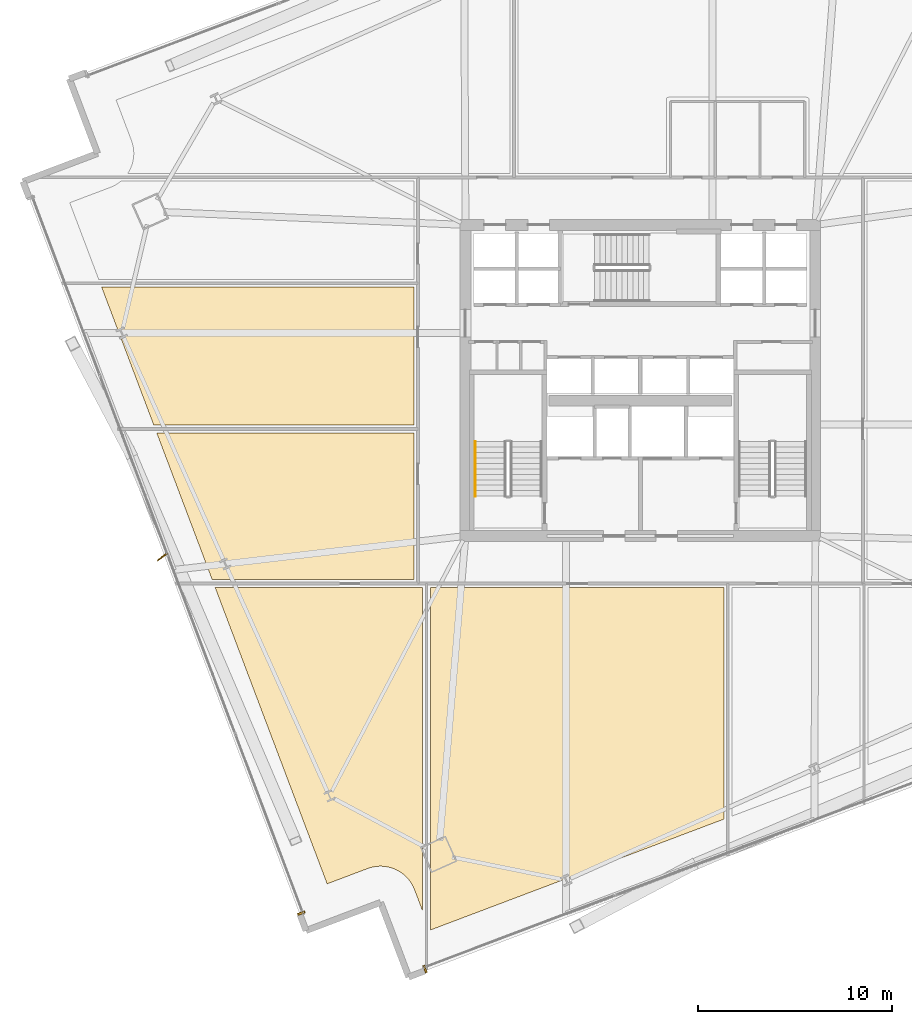
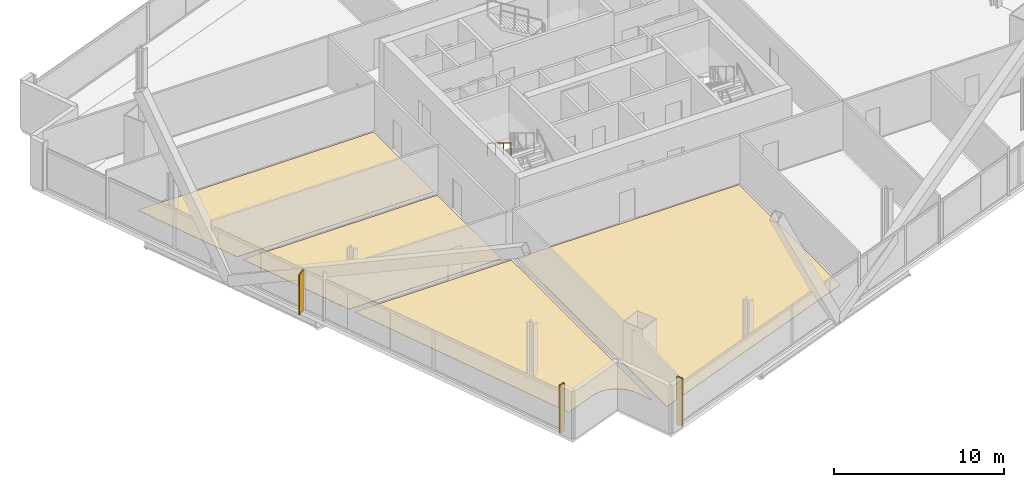
# One storey, part 33 of 37: 6 coverings, 1 railing, 1 shading device.
"""IFC4 building model written with IfcOpenShell, lengths in metres."""

from ifc_helpers import new_model, si_unit, direction, frame, origin, origin_2d, place, context, subcontext, project, spatial, polyline, rectangle, outline, extrude, source, transform, mapped, material, layer, layer_set, type_object, element, save


model = new_model("IFC4")

# Units and contexts
model_context = context("Model", 3, precision=1e-05, world=origin(), true_north=direction((0.0, 1.0)))
body_context = subcontext(model_context, "Body", "Model", "MODEL_VIEW")
ifc_project = project(units=[si_unit("LENGTHUNIT", "METRE"), si_unit("AREAUNIT", "SQUARE_METRE"), si_unit("VOLUMEUNIT", "CUBIC_METRE"), si_unit("PLANEANGLEUNIT", "RADIAN"), si_unit("MASSUNIT", "GRAM", prefix="KILO")], contexts=[model_context])

# Site, building, storey
site_placement = place(None, origin())
site = spatial("IfcSite", under=ifc_project, at=site_placement, CompositionType="ELEMENT")
building_placement = place(site_placement, origin())
building = spatial("IfcBuilding", under=site, at=building_placement, Name="Haldenkirk Collegiate Tower", CompositionType="ELEMENT")
storey_placement = place(building_placement, frame((0.0, 0.0, 97.949951171875)))
storey = spatial("IfcBuildingStorey", under=building, at=storey_placement, Name="L23", CompositionType="ELEMENT", Elevation=97.949951171875)

# Coverings
ifc_material_1 = material(Name="Polished collegiate terrazzo", Category="concrete")
ifc_layer_1 = layer(ifc_material_1, 0.02490234375)
ifc_layer_set_1 = layer_set([ifc_layer_1], Name="Polished collegiate terrazzo")
covering_type_1 = type_object("IfcCoveringType", Name="COV-FLOOR-TERRAZZO", PredefinedType="FLOORING", material=ifc_layer_set_1)
covering_1_placement = place(storey_placement, origin())
element("IfcCovering", 1, at=covering_1_placement, inside=storey, type_object=covering_type_1, Name="L23 academic room finish 02", PredefinedType="FLOORING", context=body_context, shape_type="SweptSolid", body=[
    extrude(outline(polyline([(25.199951171875, -2.272705078125), (25.199951171875, 15.35009765625), (40.300048828125, 15.35009765625), (40.300048828125, 3.43310546875), (25.199951171875, -2.272705078125)])), origin(), (0.0, 0.0, 1.0), 0.025146484375),
])
covering_2_placement = place(storey_placement, origin())
element("IfcCovering", 2, at=covering_2_placement, inside=storey, type_object=covering_type_1, Name="L23 academic room finish 08", PredefinedType="FLOORING", context=body_context, shape_type="SweptSolid", body=[
    extrude(outline(polyline([(11.117919921875, 23.300048828125), (24.35009765625, 23.300048828125), (24.35009765625, 15.75), (13.970947265625, 15.75), (11.117919921875, 23.300048828125)])), origin(), (0.0, 0.0, 1.0), 0.025146484375),
])
ifc_material_2 = material(Name="Engineered collegiate oak acoustic flooring", Category="wood")
ifc_layer_2 = layer(ifc_material_2, 0.02197265625)
ifc_layer_set_2 = layer_set([ifc_layer_2], Name="Engineered collegiate oak acoustic flooring")
covering_type_2 = type_object("IfcCoveringType", Name="COV-FLOOR-TIMBER", PredefinedType="FLOORING", material=ifc_layer_set_2)
covering_3_placement = place(storey_placement, origin())
element("IfcCovering", 3, at=covering_3_placement, inside=storey, type_object=covering_type_2, Name="L23 academic room finish 01", PredefinedType="FLOORING", context=body_context, shape_type="SweptSolid", body=[
    extrude(outline(polyline([(23.998291015625, 0.416259765625), (23.989990234375, 0.4248046875), (23.866455078125, 0.544189453125), (23.857666015625, 0.5517578125), (23.72314453125, 0.658447265625), (23.71337890625, 0.665283203125), (23.569091796875, 0.758056640625), (23.558837890625, 0.763916015625), (23.406005859375, 0.84228515625), (23.395263671875, 0.84716796875), (23.2353515625, 0.91015625), (23.22412109375, 0.913818359375), (23.05908203125, 0.960693359375), (23.047607421875, 0.96337890625), (22.87841796875, 0.993896484375), (22.86669921875, 0.995361328125), (22.695556640625, 1.00927734375), (22.683837890625, 1.009521484375), (22.51220703125, 1.006591796875), (22.50048828125, 1.005859375), (22.329833984375, 0.98583984375), (22.318359375, 0.98388671875), (22.150390625, 0.947509765625), (22.138916015625, 0.944580078125), (21.9755859375, 0.8916015625), (21.97021484375, 0.889892578125), (19.884033203125, 0.1015625), (14.1220703125, 15.35009765625), (24.800048828125, 15.35009765625), (24.800048828125, -1.30908203125), (24.38037109375, -0.198486328125), (24.378173828125, -0.193115234375), (24.3095703125, -0.035400390625), (24.304443359375, -0.02490234375), (24.220703125, 0.125), (24.214599609375, 0.135009765625), (24.11669921875, 0.276123046875), (24.109619140625, 0.285400390625), (23.998291015625, 0.416259765625)])), origin(), (0.0, 0.0, 1.0), 0.02197265625),
])
covering_4_placement = place(storey_placement, origin())
element("IfcCovering", 4, at=covering_4_placement, inside=storey, type_object=covering_type_2, Name="L23 academic room finish 09", PredefinedType="FLOORING", context=body_context, shape_type="SweptSolid", body=[
    extrude(outline(polyline([(8.283935546875, 30.800048828125), (24.35009765625, 30.800048828125), (24.35009765625, 23.699951171875), (10.966796875, 23.699951171875), (8.283935546875, 30.800048828125)])), origin(), (0.0, 0.0, 1.0), 0.02197265625),
])

# Railing
ifc_material_3 = material(Name="Painted architectural tubular steel", Category="steel")
railing_type = type_object("IfcRailingType", Name="RLG-STAIR-HANDRAIL-900", PredefinedType="HANDRAIL", material=ifc_material_3)
railing_placement = place(storey_placement, frame((27.5, 22.85009765625, 2.04541015625)))
element("IfcRailing", 5, at=railing_placement, inside=storey, type_object=railing_type, Name="L23 ST-1 stair handrail 2", PredefinedType="HANDRAIL", context=body_context, shape_type="SweptSolid", body=[
    extrude(rectangle(XDim=0.048095703125, YDim=0.048095703125, at=origin_2d()), frame((0.0, 0.0, 0.8759765625), z_axis=(0.0, -0.854169791009, 0.51999420009), x_axis=(1.0, 0.0, 0.0)), (0.0, 0.0, 1.0), 3.278076171875),
    extrude(rectangle(XDim=0.0419921875, YDim=0.0419921875, at=origin_2d()), origin(), (0.0, 0.0, 1.0), 0.851806640625),
    extrude(rectangle(XDim=0.0419921875, YDim=0.0419921875, at=origin_2d()), frame((0.0, -0.933349609375, 0.568115234375)), (0.0, 0.0, 1.0), 0.851806640625),
    extrude(rectangle(XDim=0.0419921875, YDim=0.0419921875, at=origin_2d()), frame((0.0, -1.86669921875, 1.136474609375)), (0.0, 0.0, 1.0), 0.851806640625),
    extrude(rectangle(XDim=0.0419921875, YDim=0.0419921875, at=origin_2d()), frame((0.0, -2.800048828125, 1.70458984375)), (0.0, 0.0, 1.0), 0.851806640625),
])

# Coverings
ifc_material_4 = material(Name="Anodised architectural bronze aluminium", Category="aluminium")
ifc_layer_3 = layer(ifc_material_4, 0.06005859375)
ifc_layer_set_3 = layer_set([ifc_layer_3], Name="Anodised architectural bronze aluminium")
covering_type_3 = type_object("IfcCoveringType", Name="COV-CLAD-BRONZE-60", PredefinedType="CLADDING", material=ifc_layer_set_3)
shared_shape_1 = source(origin(), body_context, "Body", "SweptSolid", [
    extrude(rectangle(XDim=0.10009765625, YDim=0.3798828125, at=origin_2d()), origin(), (0.0, 0.0, 1.0), 3.449951171875),
])
for number, where, z_axis, x_axis, name in (
    (6, (24.918701171875, -4.281982421875, 0.0), (0.0, 0.0, 1.0), (-0.93544403083, -0.353474843779, 0.0), "L23 recessed curtain-wall bronze jamb closure SJR"),
    (7, (18.55126953125, -1.406982421875, 0.0), (0.0, 0.0, 1.0), (-0.353474843779, 0.93544403083, 0.0), "L23 recessed curtain-wall bronze jamb closure WJL"),
):
    element("IfcCovering", number, at=place(storey_placement, frame(where, z_axis=z_axis, x_axis=x_axis)), inside=storey, type_object=covering_type_3, Name=name, PredefinedType="CLADDING", context=body_context, shape_type="MappedRepresentation", body=[
        mapped(shared_shape_1, transform((0.0, 0.0, 0.0), x_axis=(1.0, 0.0, 0.0), y_axis=(0.0, 1.0, 0.0), z_axis=(0.0, 0.0, 1.0), scale=1.0)),
    ])

# Shading device
ifc_layer_4 = layer(ifc_material_4, 0.06494140625)
ifc_layer_set_4 = layer_set([ifc_layer_4], Name="Anodised architectural bronze aluminium")
shading_device_type = type_object("IfcShadingDeviceType", Name="SHD-FIN-BRONZE-620", PredefinedType="USERDEFINED", material=ifc_layer_set_4)
shared_shape_2 = source(origin(), body_context, "Body", "SweptSolid", [
    extrude(rectangle(XDim=0.6201171875, YDim=0.06494140625, at=origin_2d()), origin(), (0.0, 0.0, 1.0), 2.90087890625),
])
shading_device_placement = place(storey_placement, frame((11.406494140625, 16.920654296875, 0.0), z_axis=(0.0, 0.0, 1.0), x_axis=(-0.801775644244, -0.597625146976, 0.0)))
element("IfcShadingDevice", 8, at=shading_device_placement, inside=storey, type_object=shading_device_type, Name="L23 folded bronze solar fin 1", ObjectType="FIN", PredefinedType="USERDEFINED", context=body_context, shape_type="MappedRepresentation", body=[
    mapped(shared_shape_2, transform((0.0, 0.0, 0.0), x_axis=(1.0, 0.0, 0.0), y_axis=(0.0, 1.0, 0.0), z_axis=(0.0, 0.0, 1.0), scale=1.0)),
])

save(model, "model.ifc")
